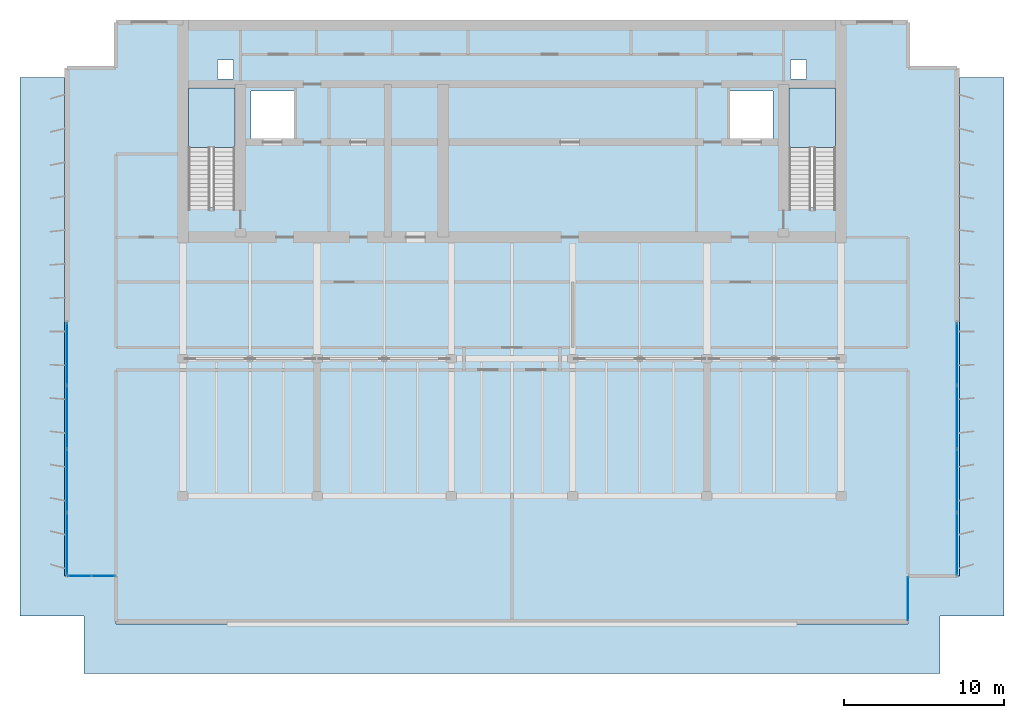
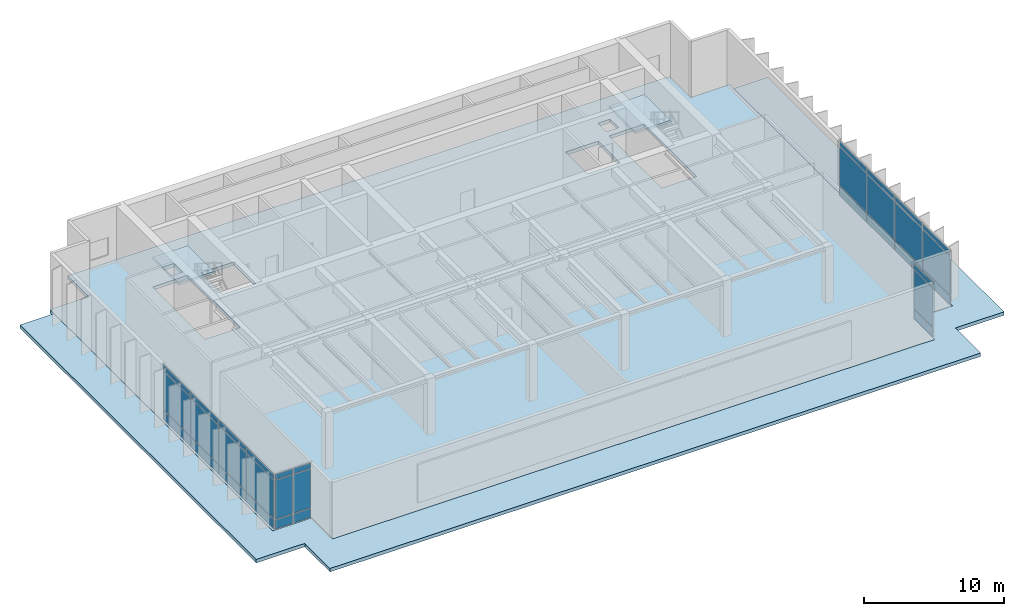
# One storey, part 4 of 12: 33 plates, 4 slabs, 6 elements without a shape of their own.
"""IFC4 building model written with IfcOpenShell, lengths in metres."""

from ifc_helpers import new_model, si_unit, direction, frame, origin, origin_2d, place, context, subcontext, project, spatial, polyline, rectangle, outline, extrude, material, layer, layer_set, type_object, element, aggregate, save


model = new_model("IFC4")

# Units and contexts
model_context = context("Model", 3, precision=1e-05, world=origin(), true_north=direction((0.0, 1.0)))
body_context = subcontext(model_context, "Body", "Model", "MODEL_VIEW")
ifc_project = project(units=[si_unit("LENGTHUNIT", "METRE"), si_unit("AREAUNIT", "SQUARE_METRE"), si_unit("VOLUMEUNIT", "CUBIC_METRE"), si_unit("PLANEANGLEUNIT", "RADIAN"), si_unit("MASSUNIT", "GRAM", prefix="KILO")], contexts=[model_context])

# Site, building, storey
site_placement = place(None, origin())
site = spatial("IfcSite", under=ifc_project, at=site_placement, CompositionType="ELEMENT")
building_placement = place(site_placement, origin())
building = spatial("IfcBuilding", under=site, at=building_placement, Name="Caelmar Bay Residences", CompositionType="ELEMENT")
storey_placement = place(building_placement, frame((0.0, 0.0, 274.199951171875)))
storey = spatial("IfcBuildingStorey", under=building, at=storey_placement, Name="L77", CompositionType="ELEMENT", Elevation=274.199951171875)

# Curtain wall, plates
ifc_material_1 = material(Name="Anodised bronze aluminium 6063-T6 and laminated glass", Category="aluminium")
ifc_layer_1 = layer(ifc_material_1, 0.179931640625)
ifc_layer_set_1 = layer_set([ifc_layer_1], Name="Anodised bronze aluminium 6063-T6 and laminated glass")
curtain_wall_type_1 = type_object("IfcCurtainWallType", Name="CW6-NTC", PredefinedType="NOTDEFINED", material=ifc_layer_set_1)
curtain_wall_1_placement = place(storey_placement, origin())
curtain_wall_1 = element("IfcCurtainWall", 1, at=curtain_wall_1_placement, inside=storey, type_object=curtain_wall_type_1, Name="CW6 curtain wall L77", PredefinedType="NOTDEFINED")
ifc_material_2 = material(Name="Bronze-tinted laminated low-E hurricane glass 28 mm", Category="glass")
ifc_layer_2 = layer(ifc_material_2, 0.028076171875)
ifc_layer_set_2 = layer_set([ifc_layer_2], Name="Bronze-tinted laminated low-E hurricane glass 28 mm")
plate_type_1 = type_object("IfcPlateType", Name="CWP-GLZ28", PredefinedType="CURTAIN_PANEL", material=ifc_layer_set_2)
plate_1_placement = place(storey_placement, frame((11.83251953125, 15.800048828125, 0.080078125), z_axis=(0.0, 0.0, 1.0), x_axis=(1.0, 0.0, 0.0)))
plate_1 = element("IfcPlate", 2, at=plate_1_placement, type_object=plate_type_1, Name="CW6 panel 1.1", PredefinedType="CURTAIN_PANEL", context=body_context, shape_type="SweptSolid", body=[
    extrude(rectangle(XDim=1.405029296875, YDim=0.028076171875, at=origin_2d()), origin(), (0.0, 0.0, 1.0), 0.780029296875),
])
plate_2_placement = place(storey_placement, frame((11.83251953125, 15.800048828125, 0.93994140625), z_axis=(0.0, 0.0, 1.0), x_axis=(1.0, 0.0, 0.0)))
plate_2 = element("IfcPlate", 3, at=plate_2_placement, type_object=plate_type_1, Name="CW6 panel 1.2", PredefinedType="CURTAIN_PANEL", context=body_context, shape_type="SweptSolid", body=[
    extrude(rectangle(XDim=1.405029296875, YDim=0.028076171875, at=origin_2d()), origin(), (0.0, 0.0, 1.0), 3.3701171875),
])
plate_3_placement = place(storey_placement, frame((11.83251953125, 15.800048828125, 4.39013671875), z_axis=(0.0, 0.0, 1.0), x_axis=(1.0, 0.0, 0.0)))
plate_3 = element("IfcPlate", 4, at=plate_3_placement, type_object=plate_type_1, Name="CW6 panel 1.3", PredefinedType="CURTAIN_PANEL", context=body_context, shape_type="SweptSolid", body=[
    extrude(rectangle(XDim=1.405029296875, YDim=0.028076171875, at=origin_2d()), origin(), (0.0, 0.0, 1.0), 0.429931640625),
])
plate_4_placement = place(storey_placement, frame((13.3173828125, 15.800048828125, 0.080078125), z_axis=(0.0, 0.0, 1.0), x_axis=(1.0, 0.0, 0.0)))
plate_4 = element("IfcPlate", 5, at=plate_4_placement, type_object=plate_type_1, Name="CW6 panel 2.1", PredefinedType="CURTAIN_PANEL", context=body_context, shape_type="SweptSolid", body=[
    extrude(rectangle(XDim=1.405029296875, YDim=0.028076171875, at=origin_2d()), origin(), (0.0, 0.0, 1.0), 0.780029296875),
])
plate_5_placement = place(storey_placement, frame((13.3173828125, 15.800048828125, 0.93994140625), z_axis=(0.0, 0.0, 1.0), x_axis=(1.0, 0.0, 0.0)))
plate_5 = element("IfcPlate", 6, at=plate_5_placement, type_object=plate_type_1, Name="CW6 panel 2.2", PredefinedType="CURTAIN_PANEL", context=body_context, shape_type="SweptSolid", body=[
    extrude(rectangle(XDim=1.405029296875, YDim=0.028076171875, at=origin_2d()), origin(), (0.0, 0.0, 1.0), 3.3701171875),
])
plate_6_placement = place(storey_placement, frame((13.3173828125, 15.800048828125, 4.39013671875), z_axis=(0.0, 0.0, 1.0), x_axis=(1.0, 0.0, 0.0)))
plate_6 = element("IfcPlate", 7, at=plate_6_placement, type_object=plate_type_1, Name="CW6 panel 2.3", PredefinedType="CURTAIN_PANEL", context=body_context, shape_type="SweptSolid", body=[
    extrude(rectangle(XDim=1.405029296875, YDim=0.028076171875, at=origin_2d()), origin(), (0.0, 0.0, 1.0), 0.429931640625),
])
aggregate(curtain_wall_1, [plate_1, plate_2, plate_3, plate_4, plate_5, plate_6])

curtain_wall_2_placement = place(storey_placement, origin())
curtain_wall_2 = element("IfcCurtainWall", 8, at=curtain_wall_2_placement, inside=storey, type_object=curtain_wall_type_1, Name="CW6 curtain wall L77", PredefinedType="NOTDEFINED")
plate_7_placement = place(storey_placement, frame((63.699951171875, 14.375, 0.080078125), z_axis=(0.0, 0.0, 1.0), x_axis=(0.0, 1.0, 0.0)))
plate_7 = element("IfcPlate", 9, at=plate_7_placement, type_object=plate_type_1, Name="CW6 panel 1.1", PredefinedType="CURTAIN_PANEL", context=body_context, shape_type="SweptSolid", body=[
    extrude(rectangle(XDim=2.68994140625, YDim=0.028076171875, at=origin_2d()), origin(), (0.0, 0.0, 1.0), 0.780029296875),
])
plate_8_placement = place(storey_placement, frame((63.699951171875, 14.375, 0.93994140625), z_axis=(0.0, 0.0, 1.0), x_axis=(0.0, 1.0, 0.0)))
plate_8 = element("IfcPlate", 10, at=plate_8_placement, type_object=plate_type_1, Name="CW6 panel 1.2", PredefinedType="CURTAIN_PANEL", context=body_context, shape_type="SweptSolid", body=[
    extrude(rectangle(XDim=2.68994140625, YDim=0.028076171875, at=origin_2d()), origin(), (0.0, 0.0, 1.0), 3.3701171875),
])
plate_9_placement = place(storey_placement, frame((63.699951171875, 14.375, 4.39013671875), z_axis=(0.0, 0.0, 1.0), x_axis=(0.0, 1.0, 0.0)))
plate_9 = element("IfcPlate", 11, at=plate_9_placement, type_object=plate_type_1, Name="CW6 panel 1.3", PredefinedType="CURTAIN_PANEL", context=body_context, shape_type="SweptSolid", body=[
    extrude(rectangle(XDim=2.68994140625, YDim=0.028076171875, at=origin_2d()), origin(), (0.0, 0.0, 1.0), 0.429931640625),
])
aggregate(curtain_wall_2, [plate_7, plate_8, plate_9])

ifc_layer_3 = layer(ifc_material_1, 0.179931640625)
ifc_layer_set_3 = layer_set([ifc_layer_3], Name="Anodised bronze aluminium 6063-T6 and laminated glass")
curtain_wall_type_2 = type_object("IfcCurtainWallType", Name="CW7-CRN", PredefinedType="NOTDEFINED", material=ifc_layer_set_3)
curtain_wall_3_placement = place(storey_placement, origin())
curtain_wall_3 = element("IfcCurtainWall", 12, at=curtain_wall_3_placement, inside=storey, type_object=curtain_wall_type_2, Name="CW7 curtain wall L77", PredefinedType="NOTDEFINED")
ifc_material_3 = material(Name="Bronze-tinted laminated low-E hurricane glass 32 mm", Category="glass")
ifc_layer_4 = layer(ifc_material_3, 0.031982421875)
ifc_layer_set_4 = layer_set([ifc_layer_4], Name="Bronze-tinted laminated low-E hurricane glass 32 mm")
plate_type_2 = type_object("IfcPlateType", Name="CWP-GLZ32", PredefinedType="CURTAIN_PANEL", material=ifc_layer_set_4)
plate_10_placement = place(storey_placement, frame((11.050048828125, 17.8076171875, 0.080078125), z_axis=(0.0, 0.0, 1.0), x_axis=(0.0, 1.0, 0.0)))
plate_10 = element("IfcPlate", 13, at=plate_10_placement, type_object=plate_type_2, Name="CW7 panel 1.1", PredefinedType="CURTAIN_PANEL", context=body_context, shape_type="SweptSolid", body=[
    extrude(rectangle(XDim=3.85498046875, YDim=0.031982421875, at=origin_2d()), origin(), (0.0, 0.0, 1.0), 0.780029296875),
])
plate_11_placement = place(storey_placement, frame((11.050048828125, 17.8076171875, 0.93994140625), z_axis=(0.0, 0.0, 1.0), x_axis=(0.0, 1.0, 0.0)))
plate_11 = element("IfcPlate", 14, at=plate_11_placement, type_object=plate_type_2, Name="CW7 panel 1.2", PredefinedType="CURTAIN_PANEL", context=body_context, shape_type="SweptSolid", body=[
    extrude(rectangle(XDim=3.85498046875, YDim=0.031982421875, at=origin_2d()), origin(), (0.0, 0.0, 1.0), 3.3701171875),
])
plate_12_placement = place(storey_placement, frame((11.050048828125, 17.8076171875, 4.39013671875), z_axis=(0.0, 0.0, 1.0), x_axis=(0.0, 1.0, 0.0)))
plate_12 = element("IfcPlate", 15, at=plate_12_placement, type_object=plate_type_2, Name="CW7 panel 1.3", PredefinedType="CURTAIN_PANEL", context=body_context, shape_type="SweptSolid", body=[
    extrude(rectangle(XDim=3.85498046875, YDim=0.031982421875, at=origin_2d()), origin(), (0.0, 0.0, 1.0), 0.429931640625),
])
plate_13_placement = place(storey_placement, frame((11.050048828125, 21.762451171875, 0.080078125), z_axis=(0.0, 0.0, 1.0), x_axis=(0.0, 1.0, 0.0)))
plate_13 = element("IfcPlate", 16, at=plate_13_placement, type_object=plate_type_2, Name="CW7 panel 2.1", PredefinedType="CURTAIN_PANEL", context=body_context, shape_type="SweptSolid", body=[
    extrude(rectangle(XDim=3.89501953125, YDim=0.031982421875, at=origin_2d()), origin(), (0.0, 0.0, 1.0), 0.780029296875),
])
plate_14_placement = place(storey_placement, frame((11.050048828125, 21.762451171875, 0.93994140625), z_axis=(0.0, 0.0, 1.0), x_axis=(0.0, 1.0, 0.0)))
plate_14 = element("IfcPlate", 17, at=plate_14_placement, type_object=plate_type_2, Name="CW7 panel 2.2", PredefinedType="CURTAIN_PANEL", context=body_context, shape_type="SweptSolid", body=[
    extrude(rectangle(XDim=3.89501953125, YDim=0.031982421875, at=origin_2d()), origin(), (0.0, 0.0, 1.0), 3.3701171875),
])
plate_15_placement = place(storey_placement, frame((11.050048828125, 21.762451171875, 4.39013671875), z_axis=(0.0, 0.0, 1.0), x_axis=(0.0, 1.0, 0.0)))
plate_15 = element("IfcPlate", 18, at=plate_15_placement, type_object=plate_type_2, Name="CW7 panel 2.3", PredefinedType="CURTAIN_PANEL", context=body_context, shape_type="SweptSolid", body=[
    extrude(rectangle(XDim=3.89501953125, YDim=0.031982421875, at=origin_2d()), origin(), (0.0, 0.0, 1.0), 0.429931640625),
])
plate_16_placement = place(storey_placement, frame((11.050048828125, 25.737548828125, 0.080078125), z_axis=(0.0, 0.0, 1.0), x_axis=(0.0, 1.0, 0.0)))
plate_16 = element("IfcPlate", 19, at=plate_16_placement, type_object=plate_type_2, Name="CW7 panel 3.1", PredefinedType="CURTAIN_PANEL", context=body_context, shape_type="SweptSolid", body=[
    extrude(rectangle(XDim=3.89501953125, YDim=0.031982421875, at=origin_2d()), origin(), (0.0, 0.0, 1.0), 0.780029296875),
])
plate_17_placement = place(storey_placement, frame((11.050048828125, 25.737548828125, 0.93994140625), z_axis=(0.0, 0.0, 1.0), x_axis=(0.0, 1.0, 0.0)))
plate_17 = element("IfcPlate", 20, at=plate_17_placement, type_object=plate_type_2, Name="CW7 panel 3.2", PredefinedType="CURTAIN_PANEL", context=body_context, shape_type="SweptSolid", body=[
    extrude(rectangle(XDim=3.89501953125, YDim=0.031982421875, at=origin_2d()), origin(), (0.0, 0.0, 1.0), 3.3701171875),
])
plate_18_placement = place(storey_placement, frame((11.050048828125, 25.737548828125, 4.39013671875), z_axis=(0.0, 0.0, 1.0), x_axis=(0.0, 1.0, 0.0)))
plate_18 = element("IfcPlate", 21, at=plate_18_placement, type_object=plate_type_2, Name="CW7 panel 3.3", PredefinedType="CURTAIN_PANEL", context=body_context, shape_type="SweptSolid", body=[
    extrude(rectangle(XDim=3.89501953125, YDim=0.031982421875, at=origin_2d()), origin(), (0.0, 0.0, 1.0), 0.429931640625),
])
plate_19_placement = place(storey_placement, frame((11.050048828125, 29.6923828125, 0.080078125), z_axis=(0.0, 0.0, 1.0), x_axis=(0.0, 1.0, 0.0)))
plate_19 = element("IfcPlate", 22, at=plate_19_placement, type_object=plate_type_2, Name="CW7 panel 4.1", PredefinedType="CURTAIN_PANEL", context=body_context, shape_type="SweptSolid", body=[
    extrude(rectangle(XDim=3.85498046875, YDim=0.031982421875, at=origin_2d()), origin(), (0.0, 0.0, 1.0), 0.780029296875),
])
plate_20_placement = place(storey_placement, frame((11.050048828125, 29.6923828125, 0.93994140625), z_axis=(0.0, 0.0, 1.0), x_axis=(0.0, 1.0, 0.0)))
plate_20 = element("IfcPlate", 23, at=plate_20_placement, type_object=plate_type_2, Name="CW7 panel 4.2", PredefinedType="CURTAIN_PANEL", context=body_context, shape_type="SweptSolid", body=[
    extrude(rectangle(XDim=3.85498046875, YDim=0.031982421875, at=origin_2d()), origin(), (0.0, 0.0, 1.0), 3.3701171875),
])
plate_21_placement = place(storey_placement, frame((11.050048828125, 29.6923828125, 4.39013671875), z_axis=(0.0, 0.0, 1.0), x_axis=(0.0, 1.0, 0.0)))
plate_21 = element("IfcPlate", 24, at=plate_21_placement, type_object=plate_type_2, Name="CW7 panel 4.3", PredefinedType="CURTAIN_PANEL", context=body_context, shape_type="SweptSolid", body=[
    extrude(rectangle(XDim=3.85498046875, YDim=0.031982421875, at=origin_2d()), origin(), (0.0, 0.0, 1.0), 0.429931640625),
])
aggregate(curtain_wall_3, [plate_10, plate_11, plate_12, plate_13, plate_14, plate_15, plate_16, plate_17, plate_18, plate_19, plate_20, plate_21])

curtain_wall_4_placement = place(storey_placement, origin())
curtain_wall_4 = element("IfcCurtainWall", 25, at=curtain_wall_4_placement, inside=storey, type_object=curtain_wall_type_2, Name="CW7 curtain wall L77", PredefinedType="NOTDEFINED")
plate_22_placement = place(storey_placement, frame((66.75, 29.6923828125, 0.080078125), z_axis=(0.0, 0.0, 1.0), x_axis=(0.0, -1.0, 0.0)))
plate_22 = element("IfcPlate", 26, at=plate_22_placement, type_object=plate_type_2, Name="CW7 panel 1.1", PredefinedType="CURTAIN_PANEL", context=body_context, shape_type="SweptSolid", body=[
    extrude(rectangle(XDim=3.85498046875, YDim=0.031982421875, at=origin_2d()), origin(), (0.0, 0.0, 1.0), 0.780029296875),
])
plate_23_placement = place(storey_placement, frame((66.75, 29.6923828125, 0.93994140625), z_axis=(0.0, 0.0, 1.0), x_axis=(0.0, -1.0, 0.0)))
plate_23 = element("IfcPlate", 27, at=plate_23_placement, type_object=plate_type_2, Name="CW7 panel 1.2", PredefinedType="CURTAIN_PANEL", context=body_context, shape_type="SweptSolid", body=[
    extrude(rectangle(XDim=3.85498046875, YDim=0.031982421875, at=origin_2d()), origin(), (0.0, 0.0, 1.0), 3.3701171875),
])
plate_24_placement = place(storey_placement, frame((66.75, 29.6923828125, 4.39013671875), z_axis=(0.0, 0.0, 1.0), x_axis=(0.0, -1.0, 0.0)))
plate_24 = element("IfcPlate", 28, at=plate_24_placement, type_object=plate_type_2, Name="CW7 panel 1.3", PredefinedType="CURTAIN_PANEL", context=body_context, shape_type="SweptSolid", body=[
    extrude(rectangle(XDim=3.85498046875, YDim=0.031982421875, at=origin_2d()), origin(), (0.0, 0.0, 1.0), 0.429931640625),
])
plate_25_placement = place(storey_placement, frame((66.75, 25.737548828125, 0.080078125), z_axis=(0.0, 0.0, 1.0), x_axis=(0.0, -1.0, 0.0)))
plate_25 = element("IfcPlate", 29, at=plate_25_placement, type_object=plate_type_2, Name="CW7 panel 2.1", PredefinedType="CURTAIN_PANEL", context=body_context, shape_type="SweptSolid", body=[
    extrude(rectangle(XDim=3.89501953125, YDim=0.031982421875, at=origin_2d()), origin(), (0.0, 0.0, 1.0), 0.780029296875),
])
plate_26_placement = place(storey_placement, frame((66.75, 25.737548828125, 0.93994140625), z_axis=(0.0, 0.0, 1.0), x_axis=(0.0, -1.0, 0.0)))
plate_26 = element("IfcPlate", 30, at=plate_26_placement, type_object=plate_type_2, Name="CW7 panel 2.2", PredefinedType="CURTAIN_PANEL", context=body_context, shape_type="SweptSolid", body=[
    extrude(rectangle(XDim=3.89501953125, YDim=0.031982421875, at=origin_2d()), origin(), (0.0, 0.0, 1.0), 3.3701171875),
])
plate_27_placement = place(storey_placement, frame((66.75, 25.737548828125, 4.39013671875), z_axis=(0.0, 0.0, 1.0), x_axis=(0.0, -1.0, 0.0)))
plate_27 = element("IfcPlate", 31, at=plate_27_placement, type_object=plate_type_2, Name="CW7 panel 2.3", PredefinedType="CURTAIN_PANEL", context=body_context, shape_type="SweptSolid", body=[
    extrude(rectangle(XDim=3.89501953125, YDim=0.031982421875, at=origin_2d()), origin(), (0.0, 0.0, 1.0), 0.429931640625),
])
plate_28_placement = place(storey_placement, frame((66.75, 21.762451171875, 0.080078125), z_axis=(0.0, 0.0, 1.0), x_axis=(0.0, -1.0, 0.0)))
plate_28 = element("IfcPlate", 32, at=plate_28_placement, type_object=plate_type_2, Name="CW7 panel 3.1", PredefinedType="CURTAIN_PANEL", context=body_context, shape_type="SweptSolid", body=[
    extrude(rectangle(XDim=3.89501953125, YDim=0.031982421875, at=origin_2d()), origin(), (0.0, 0.0, 1.0), 0.780029296875),
])
plate_29_placement = place(storey_placement, frame((66.75, 21.762451171875, 0.93994140625), z_axis=(0.0, 0.0, 1.0), x_axis=(0.0, -1.0, 0.0)))
plate_29 = element("IfcPlate", 33, at=plate_29_placement, type_object=plate_type_2, Name="CW7 panel 3.2", PredefinedType="CURTAIN_PANEL", context=body_context, shape_type="SweptSolid", body=[
    extrude(rectangle(XDim=3.89501953125, YDim=0.031982421875, at=origin_2d()), origin(), (0.0, 0.0, 1.0), 3.3701171875),
])
plate_30_placement = place(storey_placement, frame((66.75, 21.762451171875, 4.39013671875), z_axis=(0.0, 0.0, 1.0), x_axis=(0.0, -1.0, 0.0)))
plate_30 = element("IfcPlate", 34, at=plate_30_placement, type_object=plate_type_2, Name="CW7 panel 3.3", PredefinedType="CURTAIN_PANEL", context=body_context, shape_type="SweptSolid", body=[
    extrude(rectangle(XDim=3.89501953125, YDim=0.031982421875, at=origin_2d()), origin(), (0.0, 0.0, 1.0), 0.429931640625),
])
plate_31_placement = place(storey_placement, frame((66.75, 17.8076171875, 0.080078125), z_axis=(0.0, 0.0, 1.0), x_axis=(0.0, -1.0, 0.0)))
plate_31 = element("IfcPlate", 35, at=plate_31_placement, type_object=plate_type_2, Name="CW7 panel 4.1", PredefinedType="CURTAIN_PANEL", context=body_context, shape_type="SweptSolid", body=[
    extrude(rectangle(XDim=3.85498046875, YDim=0.031982421875, at=origin_2d()), origin(), (0.0, 0.0, 1.0), 0.780029296875),
])
plate_32_placement = place(storey_placement, frame((66.75, 17.8076171875, 0.93994140625), z_axis=(0.0, 0.0, 1.0), x_axis=(0.0, -1.0, 0.0)))
plate_32 = element("IfcPlate", 36, at=plate_32_placement, type_object=plate_type_2, Name="CW7 panel 4.2", PredefinedType="CURTAIN_PANEL", context=body_context, shape_type="SweptSolid", body=[
    extrude(rectangle(XDim=3.85498046875, YDim=0.031982421875, at=origin_2d()), origin(), (0.0, 0.0, 1.0), 3.3701171875),
])
plate_33_placement = place(storey_placement, frame((66.75, 17.8076171875, 4.39013671875), z_axis=(0.0, 0.0, 1.0), x_axis=(0.0, -1.0, 0.0)))
plate_33 = element("IfcPlate", 37, at=plate_33_placement, type_object=plate_type_2, Name="CW7 panel 4.3", PredefinedType="CURTAIN_PANEL", context=body_context, shape_type="SweptSolid", body=[
    extrude(rectangle(XDim=3.85498046875, YDim=0.031982421875, at=origin_2d()), origin(), (0.0, 0.0, 1.0), 0.429931640625),
])
aggregate(curtain_wall_4, [plate_22, plate_23, plate_24, plate_25, plate_26, plate_27, plate_28, plate_29, plate_30, plate_31, plate_32, plate_33])

# Slab
ifc_material_4 = material(Name="Concrete f'c 40 MPa (6,000 psi)", Category="concrete")
ifc_layer_5 = layer(ifc_material_4, 0.300048828125)
ifc_layer_set_5 = layer_set([ifc_layer_5], Name="Concrete f'c 40 MPa (6,000 psi)")
slab_type_1 = type_object("IfcSlabType", Name="SLB-CRN-300", PredefinedType="ROOF", material=ifc_layer_set_5)
slab_1_placement = place(storey_placement, frame((0.0, 0.0, -0.300048828125)))
element("IfcSlab", 38, at=slab_1_placement, inside=storey, type_object=slab_type_1, Name="L77 Exterior Stepped Terrace Roof Slab 1", PredefinedType="ROOF", context=body_context, shape_type="SweptSolid", body=[
    extrude(outline(polyline([(66.89990234375, 47.0), (66.89990234375, 15.800048828125), (63.699951171875, 15.800048828125), (63.699951171875, 12.800048828125), (14.10009765625, 12.800048828125), (14.10009765625, 15.800048828125), (10.89990234375, 15.800048828125), (10.89990234375, 47.0), (8.10009765625, 47.0), (8.10009765625, 13.300048828125), (12.10009765625, 13.300048828125), (12.10009765625, 9.699951171875), (65.699951171875, 9.699951171875), (65.699951171875, 13.300048828125), (69.699951171875, 13.300048828125), (69.699951171875, 47.0), (66.89990234375, 47.0)])), origin(), (0.0, 0.0, 1.0), 0.300048828125),
])

# Stair, slab
stair_type = type_object("IfcStairType", Name="ST-TAL-170", PredefinedType="HALF_TURN_STAIR", material=ifc_material_4)
stair_1_placement = place(storey_placement, origin())
stair_1 = element("IfcStair", 39, at=stair_1_placement, inside=storey, type_object=stair_type, Name="L77 West Smokeproof Exit Stair ST1", PredefinedType="HALF_TURN_STAIR")
ifc_layer_6 = layer(ifc_material_4, 0.199951171875)
ifc_layer_set_6 = layer_set([ifc_layer_6], Name="Concrete f'c 40 MPa (6,000 psi)")
slab_type_2 = type_object("IfcSlabType", Name="SLB-LND-200", PredefinedType="LANDING", material=ifc_layer_set_6)
slab_2_placement = place(storey_placement, frame((0.0, 0.0, 2.400146484375)))
slab_2 = element("IfcSlab", 40, at=slab_2_placement, type_object=slab_type_2, Name="ST1 landing 1", PredefinedType="LANDING", context=body_context, shape_type="SweptSolid", body=[
    extrude(outline(polyline([(21.550048828125, 42.6201171875), (21.550048828125, 46.35009765625), (18.64990234375, 46.35009765625), (18.64990234375, 42.6201171875), (21.550048828125, 42.6201171875)])), origin(), (0.0, 0.0, 1.0), 0.199951171875),
])
aggregate(stair_1, [slab_2])

stair_2_placement = place(storey_placement, origin())
stair_2 = element("IfcStair", 41, at=stair_2_placement, inside=storey, type_object=stair_type, Name="L77 East Smokeproof Exit Stair ST2", PredefinedType="HALF_TURN_STAIR")
slab_3_placement = place(storey_placement, frame((0.0, 0.0, 2.400146484375)))
slab_3 = element("IfcSlab", 42, at=slab_3_placement, type_object=slab_type_2, Name="ST2 landing 1", PredefinedType="LANDING", context=body_context, shape_type="SweptSolid", body=[
    extrude(outline(polyline([(59.14990234375, 42.6201171875), (59.14990234375, 46.35009765625), (56.25, 46.35009765625), (56.25, 42.6201171875), (59.14990234375, 42.6201171875)])), origin(), (0.0, 0.0, 1.0), 0.199951171875),
])
aggregate(stair_2, [slab_3])

# Slab
ifc_layer_7 = layer(ifc_material_4, 0.300048828125)
ifc_layer_set_7 = layer_set([ifc_layer_7], Name="Concrete f'c 40 MPa (6,000 psi)")
slab_type_3 = type_object("IfcSlabType", Name="SLB-POD-300", PredefinedType="FLOOR", material=ifc_layer_set_7)
slab_4_placement = place(storey_placement, frame((0.0, 0.0, -0.300048828125)))
element("IfcSlab", 43, at=slab_4_placement, inside=storey, type_object=slab_type_3, Name="L77 Structural Floor Slab", PredefinedType="FLOOR", context=body_context, shape_type="SweptSolid", body=[
    extrude(outline(polyline([(14.10009765625, 12.800048828125), (63.699951171875, 12.800048828125), (63.699951171875, 15.800048828125), (66.89990234375, 15.800048828125), (66.89990234375, 47.60009765625), (63.699951171875, 47.60009765625), (63.699951171875, 50.60009765625), (14.10009765625, 50.60009765625), (14.10009765625, 47.60009765625), (10.89990234375, 47.60009765625), (10.89990234375, 15.800048828125), (14.10009765625, 15.800048828125), (14.10009765625, 12.800048828125)]), holes=[polyline([(18.64990234375, 38.85009765625), (21.550048828125, 38.85009765625), (21.550048828125, 46.35009765625), (18.64990234375, 46.35009765625), (18.64990234375, 38.85009765625)]), polyline([(56.25, 38.85009765625), (59.14990234375, 38.85009765625), (59.14990234375, 46.35009765625), (56.25, 46.35009765625), (56.25, 38.85009765625)]), polyline([(22.550048828125, 43.050048828125), (25.25, 43.050048828125), (25.25, 46.14990234375), (22.550048828125, 46.14990234375), (22.550048828125, 43.050048828125)]), polyline([(52.550048828125, 43.050048828125), (55.25, 43.050048828125), (55.25, 46.14990234375), (52.550048828125, 46.14990234375), (52.550048828125, 43.050048828125)]), polyline([(20.449951171875, 46.89990234375), (21.449951171875, 46.89990234375), (21.449951171875, 48.10009765625), (20.449951171875, 48.10009765625), (20.449951171875, 46.89990234375)]), polyline([(56.35009765625, 46.89990234375), (57.35009765625, 46.89990234375), (57.35009765625, 48.10009765625), (56.35009765625, 48.10009765625), (56.35009765625, 46.89990234375)])]), origin(), (0.0, 0.0, 1.0), 0.300048828125),
])

save(model, "model.ifc")
